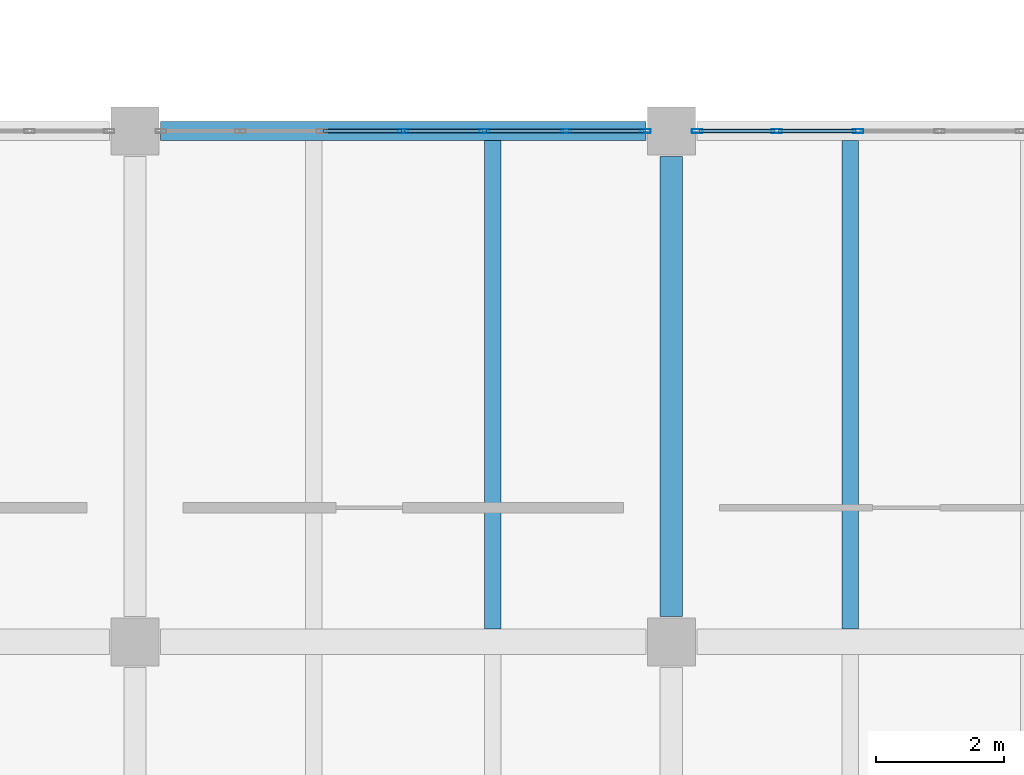
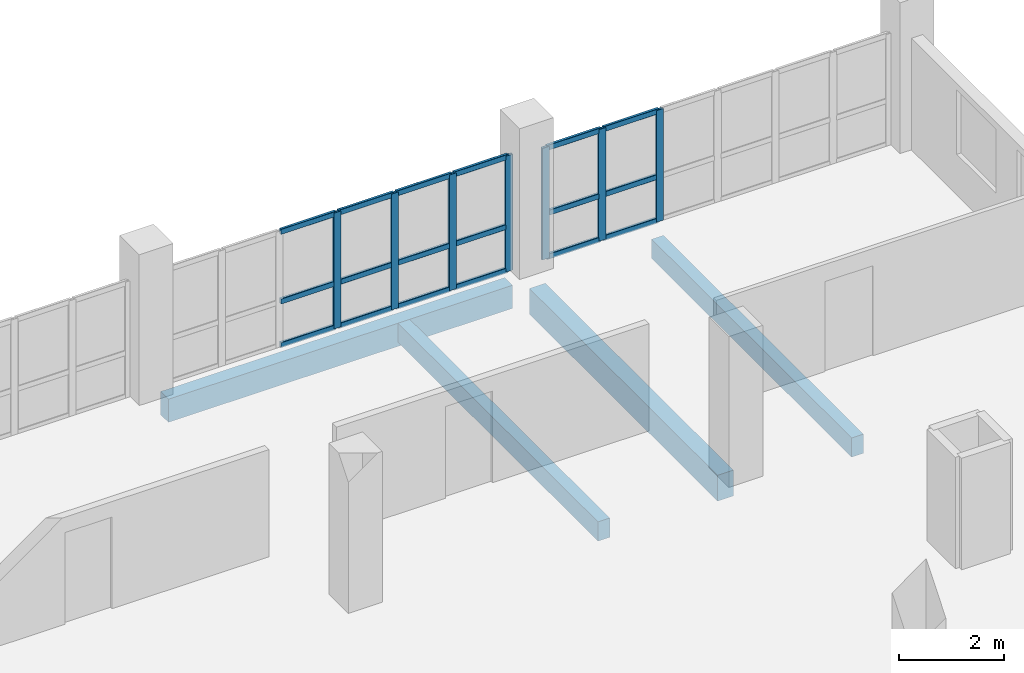
# One storey, part 22 of 95: 25 members, 4 beams, 2 elements without a shape of their own.
"""IFC4 building model written with IfcOpenShell, lengths in metres."""

import ifcopenshell
import ifcopenshell.guid

model = None  # the IFC model being written
_history = None  # IfcOwnerHistory: only IFC2X3 demands one
_inside = {}  # id of a spatial element -> (the spatial element, [elements in it])
_under = {}  # id of a project, library or spatial element -> (it, [spatial elements below it])
_declared = {}  # id of a project -> (the project, [libraries it declares])
_typed = {}  # id of a type object -> (the type object, [elements of that type])
_made_of = {}  # id of a material, layer set ... -> (it, [elements and type objects made of it])


def new_model(schema):
    """Start an empty IFC model of exactly this schema.

    Asked for "IFC4X3", IfcOpenShell would pick the latest addendum, in which some entities
    have other attributes; the version numbers below select the first issue.
    IFC2X3 requires an IfcOwnerHistory on every rooted entity: one is made here for all.
    """
    global model, _history
    if schema == "IFC4X3":
        model = ifcopenshell.file(schema_version=(4, 3, 0, 0))
    else:
        model = ifcopenshell.file(schema=schema)
    _inside.clear()
    _under.clear()
    _declared.clear()
    _typed.clear()
    _made_of.clear()
    _history = None
    if model.schema == "IFC2X3":
        org = make("IfcOrganization", Name="unknown")
        user = make(
            "IfcPersonAndOrganization",
            ThePerson=make("IfcPerson", FamilyName="unknown"),
            TheOrganization=org,
        )
        app = make(
            "IfcApplication",
            ApplicationDeveloper=org,
            Version="unknown",
            ApplicationFullName="unknown",
            ApplicationIdentifier="unknown",
        )
        _history = make(
            "IfcOwnerHistory",
            OwningUser=user,
            OwningApplication=app,
            ChangeAction="ADDED",
            CreationDate=0,
        )
    return model


def make(cls, **values):
    """One entity of the class cls with the attributes given. An attribute that is None is left unset."""
    return model.create_entity(
        cls, **{name: value for name, value in values.items() if value is not None}
    )


def rooted(cls, **values):
    """An entity with a GlobalId (a new one), such as an element, a storey or a relation."""
    return make(cls, GlobalId=ifcopenshell.guid.new(), OwnerHistory=_history, **values)


def si_unit(unit_type, name, prefix=None):
    """IfcSIUnit, for example si_unit("LENGTHUNIT", "METRE", prefix="MILLI")."""
    return make("IfcSIUnit", UnitType=unit_type, Prefix=prefix, Name=name)


def assignment(units):
    """IfcUnitAssignment: the units of a project."""
    return None if units is None else make("IfcUnitAssignment", Units=units)


def point(xyz):
    """IfcCartesianPoint."""
    return None if xyz is None else make("IfcCartesianPoint", Coordinates=xyz)


def direction(xyz):
    """IfcDirection."""
    return None if xyz is None else make("IfcDirection", DirectionRatios=xyz)


def frame(location, z_axis=None, x_axis=None):
    """IfcAxis2Placement3D, a coordinate frame: its origin and axes. An axis left out is left unset."""
    return make(
        "IfcAxis2Placement3D",
        Location=point(location),
        Axis=direction(z_axis),
        RefDirection=direction(x_axis),
    )


def frame_2d(location, x_axis=None):
    """IfcAxis2Placement2D, a coordinate frame in the plane: its origin and x axis."""
    return make(
        "IfcAxis2Placement2D", Location=point(location), RefDirection=direction(x_axis)
    )


def origin():
    """The frame at (0, 0, 0) with its axes left unset."""
    return frame((0.0, 0.0, 0.0))


def origin_2d():
    """The frame at (0, 0) in the plane with its x axis left unset."""
    return frame_2d((0.0, 0.0))


def place(relative_to, where):
    """IfcLocalPlacement: puts the frame where relative to a parent placement (None: the world)."""
    return make(
        "IfcLocalPlacement", PlacementRelTo=relative_to, RelativePlacement=where
    )


def context(
    kind, dimensions, precision=None, world=None, true_north=None, identifier=None
):
    """IfcGeometricRepresentationContext, for example the 3D "Model" context."""
    return make(
        "IfcGeometricRepresentationContext",
        ContextIdentifier=identifier,
        ContextType=kind,
        CoordinateSpaceDimension=dimensions,
        Precision=precision,
        WorldCoordinateSystem=world,
        TrueNorth=true_north,
    )


def subcontext(parent, identifier, kind, view, scale=None):
    """IfcGeometricRepresentationSubContext, for example "Body" below "Model"."""
    return make(
        "IfcGeometricRepresentationSubContext",
        ContextIdentifier=identifier,
        ContextType=kind,
        ParentContext=parent,
        TargetScale=scale,
        TargetView=view,
    )


def project(units=None, contexts=None):
    """IfcProject with its units and contexts."""
    return rooted(
        "IfcProject",
        Name="project",
        RepresentationContexts=contexts,
        UnitsInContext=assignment(units),
    )


def spatial(cls, under=None, at=None, **own):
    """A site, building, storey or space (cls), placed at a placement, below another one or the project."""
    s = rooted(cls, ObjectPlacement=at, **own)
    if under is not None:
        _under.setdefault(under.id(), (under, []))[1].append(s)
    return s


def profile(cls, at=None, kind="AREA", **sizes):
    """A parametric profile (cls). Its sizes go by their IFC names, for example OverallWidth=200.0."""
    return make(cls, ProfileType=kind, Position=at, **sizes)


def rectangle(**sizes):
    """IfcRectangleProfileDef."""
    return profile("IfcRectangleProfileDef", **sizes)


def hollow_rectangle(**sizes):
    """IfcRectangleHollowProfileDef."""
    return profile("IfcRectangleHollowProfileDef", **sizes)


def extrude(swept, where, along, depth):
    """IfcExtrudedAreaSolid: the profile swept, set in the frame where, extruded along a direction by depth."""
    return make(
        "IfcExtrudedAreaSolid",
        SweptArea=swept,
        Position=where,
        ExtrudedDirection=direction(along),
        Depth=depth,
    )


def shape(context_of_items, identifier, shape_type, items):
    """IfcShapeRepresentation: the items that make up one representation, for example the "Body"."""
    return make(
        "IfcShapeRepresentation",
        ContextOfItems=context_of_items,
        RepresentationIdentifier=identifier,
        RepresentationType=shape_type,
        Items=items,
    )


def material(Name=None, Category=None):
    """IfcMaterial."""
    return make("IfcMaterial", Name=Name, Category=Category)


def layer(
    of_material, thickness, ventilated=None, Name=None, Category=None, Priority=None
):
    """IfcMaterialLayer: one layer of a wall or slab, of a material (None: an air gap)."""
    return make(
        "IfcMaterialLayer",
        Material=of_material,
        LayerThickness=thickness,
        IsVentilated=ventilated,
        Name=Name,
        Category=Category,
        Priority=Priority,
    )


def layer_set(layers, Name=None):
    """IfcMaterialLayerSet."""
    return make("IfcMaterialLayerSet", MaterialLayers=layers, LayerSetName=Name)


def material_profile(
    of_material, cross_section, Name=None, Category=None, Priority=None
):
    """IfcMaterialProfile: a cross section and its material."""
    return make(
        "IfcMaterialProfile",
        Name=Name,
        Material=of_material,
        Profile=cross_section,
        Priority=Priority,
        Category=Category,
    )


def profile_set(profiles, Name=None, composite=None):
    """IfcMaterialProfileSet."""
    return make(
        "IfcMaterialProfileSet",
        Name=Name,
        MaterialProfiles=profiles,
        CompositeProfile=composite,
    )


def made_of(thing, what):
    """Note that an element or type object is made of a material, layer set ...; save() writes the relation."""
    if what is not None:
        _made_of.setdefault(what.id(), (what, []))[1].append(thing)
    return thing


def type_object(cls, material=None, **own):
    """A type object (cls), such as IfcWallType, which elements share."""
    return made_of(rooted(cls, **own), material)


def element(
    cls,
    number,
    at=None,
    inside=None,
    cuts=None,
    type_object=None,
    material=None,
    context=None,
    identifier="Body",
    shape_type=None,
    held_by="IfcProductDefinitionShape",
    body=None,
    shapes=None,
    **own,
):
    """One element of the class cls, such as IfcWall. Its Tag is "e" and its number.

    at: its placement. inside: the storey or other place that contains it. cuts: it is an
    opening in that element (IfcRelVoidsElement). A single representation is given by context,
    identifier, shape_type and body (its items); several are given by shapes. held_by: the class
    of the entity that holds the representations. save() writes the other relations.
    """
    e = rooted(cls, Tag="e%d" % number, ObjectPlacement=at, **own)
    if body is not None:
        shapes = [shape(context, identifier, shape_type, body)]
    if shapes is not None:
        e.Representation = make(held_by, Representations=shapes)
    if inside is not None:
        _inside.setdefault(inside.id(), (inside, []))[1].append(e)
    if cuts is not None:
        rooted(
            "IfcRelVoidsElement", RelatingBuildingElement=cuts, RelatedOpeningElement=e
        )
    if type_object is not None:
        _typed.setdefault(type_object.id(), (type_object, []))[1].append(e)
    return made_of(e, material)


def aggregate(whole, parts):
    """IfcRelAggregates: a whole, such as a stair, and the parts it consists of."""
    return rooted("IfcRelAggregates", RelatingObject=whole, RelatedObjects=parts)


def save(model, path):
    """Write the relations noted so far, then the file.

    IfcRelAggregates (storeys below a building ...), IfcRelContainedInSpatialStructure (elements
    in a storey), IfcRelDefinesByType, IfcRelAssociatesMaterial and IfcRelDeclares: one each for
    every whole, place, type object, material and project.
    """
    for whole, parts in _under.values():
        aggregate(whole, parts)
    for where, things in _inside.values():
        rooted(
            "IfcRelContainedInSpatialStructure",
            RelatedElements=things,
            RelatingStructure=where,
        )
    for kind, things in _typed.values():
        rooted("IfcRelDefinesByType", RelatedObjects=things, RelatingType=kind)
    for what, things in _made_of.values():
        rooted("IfcRelAssociatesMaterial", RelatedObjects=things, RelatingMaterial=what)
    for by, libraries in _declared.values():
        rooted("IfcRelDeclares", RelatingContext=by, RelatedDefinitions=libraries)
    model.write(path)


model = new_model("IFC4")

# Units and contexts
model_context = context("Model", 3, precision=1e-05, world=origin(), true_north=direction((0.0, 1.0)))
body_context = subcontext(model_context, "Body", "Model", "MODEL_VIEW")
ifc_project = project(units=[si_unit("LENGTHUNIT", "METRE"), si_unit("AREAUNIT", "SQUARE_METRE"), si_unit("VOLUMEUNIT", "CUBIC_METRE"), si_unit("PLANEANGLEUNIT", "RADIAN"), si_unit("MASSUNIT", "GRAM", prefix="KILO"), si_unit("THERMODYNAMICTEMPERATUREUNIT", "KELVIN"), si_unit("POWERUNIT", "WATT")], contexts=[model_context])

# Site, building, storey
site_placement = place(None, origin())
site = spatial("IfcSite", under=ifc_project, at=site_placement, CompositionType="ELEMENT")
building_placement = place(site_placement, origin())
building = spatial("IfcBuilding", under=site, at=building_placement, Name="Mavoryth Pier Ferry Terminal", CompositionType="ELEMENT")
storey_placement = place(building_placement, frame((0.0, 0.0, 9.60009765625)))
storey = spatial("IfcBuildingStorey", under=building, at=storey_placement, Name="L02", CompositionType="ELEMENT", Elevation=9.60009765625)

# Beams
ifc_material_1 = material(Name="Concrete C35/45", Category="concrete")
ifc_material_profile_1 = material_profile(ifc_material_1, rectangle(XDim=0.35009765625, YDim=0.60009765625, at=origin_2d()), Name="RC 350x600", Category="concrete")
ifc_profile_set_1 = profile_set([ifc_material_profile_1], Name="Concrete C35/45 - RC 350x600")
beam_type_1 = type_object("IfcBeamType", Name="Girder-RC-350x600", PredefinedType="BEAM", material=ifc_profile_set_1)
beam_1_placement = place(storey_placement, frame((84.0, 14.39990234375, -0.56005859375), z_axis=(0.0, 1.0, 0.0), x_axis=(-1.0, 0.0, 0.0)))
element("IfcBeam", 1, at=beam_1_placement, inside=storey, type_object=beam_type_1, Name="Beam B02-BG08-0992", PredefinedType="BEAM", context=body_context, shape_type="SweptSolid", body=[
    extrude(rectangle(XDim=0.35009765625, YDim=0.60009765625, at=origin_2d()), origin(), (0.0, 0.0, 1.0), 7.2001953125),
])
ifc_material_profile_2 = material_profile(ifc_material_1, rectangle(XDim=0.260009765625, YDim=0.449951171875, at=origin_2d()), Name="RC 260x450", Category="concrete")
ifc_profile_set_2 = profile_set([ifc_material_profile_2], Name="Concrete C35/45 - RC 260x450")
beam_type_2 = type_object("IfcBeamType", Name="Joist-RC-260x450", PredefinedType="JOIST", material=ifc_profile_set_2)
for number, where, z_axis, x_axis, name in (
    (2, (81.199951171875, 14.199951171875, -0.485107421875), (0.0, 1.0, 0.0), (-1.0, 0.0, 0.0), "Beam B02-BJ03-1021"),
    (3, (86.800048828125, 14.199951171875, -0.485107421875), (0.0, 1.0, 0.0), (-1.0, 0.0, 0.0), "Beam B02-BJ03-1026"),
):
    element("IfcBeam", number, at=place(storey_placement, frame(where, z_axis=z_axis, x_axis=x_axis)), inside=storey, type_object=beam_type_2, Name=name, PredefinedType="JOIST", context=body_context, shape_type="SweptSolid", body=[
        extrude(rectangle(XDim=0.260009765625, YDim=0.449951171875, at=origin_2d()), origin(), (0.0, 0.0, 1.0), 7.650146484375),
    ])

# Curtain wall, members
ifc_material_2 = material(Name="Anodised Aluminium and Solar-Control Low-E Glass", Category="aluminium")
ifc_layer = layer(ifc_material_2, 0.239990234375, Name="Anodised Aluminium and Solar-Control Low-E Glass", Category="aluminium")
ifc_layer_set = layer_set([ifc_layer], Name="Anodised Aluminium and Solar-Control Low-E Glass - CW-Operations-Mod1200")
curtain_wall_type = type_object("IfcCurtainWallType", Name="CW-Operations-Mod1200", PredefinedType="USERDEFINED", material=ifc_layer_set)
curtain_wall_1_placement = place(storey_placement, origin())
curtain_wall_1 = element("IfcCurtainWall", 4, at=curtain_wall_1_placement, inside=storey, type_object=curtain_wall_type, Name="Curtain Wall CW-0222-130", ObjectType="UNITISED CURTAIN WALL", PredefinedType="USERDEFINED")
ifc_material_3 = material(Name="Anodised Aluminium EN AW-6063", Category="aluminium")
ifc_material_profile_3 = material_profile(ifc_material_3, hollow_rectangle(XDim=0.06005859375, YDim=0.1650390625, WallThickness=0.00390625, InnerFilletRadius=0.00390625, OuterFilletRadius=0.008056640625, at=origin_2d()), Name="AL-MULL 165x60x4", Category="aluminium")
ifc_profile_set_3 = profile_set([ifc_material_profile_3], Name="Anodised Aluminium EN AW-6063 - AL-MULL 165x60x4")
member_type_1 = type_object("IfcMemberType", Name="Mullion-Alum-165x60", PredefinedType="MULLION", material=ifc_profile_set_3)
member_1_placement = place(storey_placement, frame((83.594970703125, 22.0, 0.0), z_axis=(0.0, 0.0, 1.0), x_axis=(0.0, -1.0, 0.0)))
member_1 = element("IfcMember", 5, at=member_1_placement, type_object=member_type_1, Name="CW06 mullion 1", PredefinedType="MULLION", context=body_context, shape_type="SweptSolid", body=[
    extrude(hollow_rectangle(XDim=0.06005859375, YDim=0.1650390625, WallThickness=0.00390625, InnerFilletRadius=0.00390625, OuterFilletRadius=0.008056640625, at=origin_2d()), origin(), (0.0, 0.0, 1.0), 2.704833984375),
])
member_2_placement = place(storey_placement, frame((82.35009765625, 22.0, 0.0), z_axis=(0.0, 0.0, 1.0), x_axis=(0.0, -1.0, 0.0)))
member_2 = element("IfcMember", 6, at=member_2_placement, type_object=member_type_1, Name="CW06 mullion 2", PredefinedType="MULLION", context=body_context, shape_type="SweptSolid", body=[
    extrude(hollow_rectangle(XDim=0.06005859375, YDim=0.1650390625, WallThickness=0.00390625, InnerFilletRadius=0.00390625, OuterFilletRadius=0.008056640625, at=origin_2d()), origin(), (0.0, 0.0, 1.0), 2.704833984375),
])
member_3_placement = place(storey_placement, frame((81.074951171875, 22.0, 0.0), z_axis=(0.0, 0.0, 1.0), x_axis=(0.0, -1.0, 0.0)))
member_3 = element("IfcMember", 7, at=member_3_placement, type_object=member_type_1, Name="CW06 mullion 3", PredefinedType="MULLION", context=body_context, shape_type="SweptSolid", body=[
    extrude(hollow_rectangle(XDim=0.06005859375, YDim=0.1650390625, WallThickness=0.00390625, InnerFilletRadius=0.00390625, OuterFilletRadius=0.008056640625, at=origin_2d()), origin(), (0.0, 0.0, 1.0), 2.704833984375),
])
member_4_placement = place(storey_placement, frame((79.800048828125, 22.0, 0.0), z_axis=(0.0, 0.0, 1.0), x_axis=(0.0, -1.0, 0.0)))
member_4 = element("IfcMember", 8, at=member_4_placement, type_object=member_type_1, Name="CW06 mullion 4", PredefinedType="MULLION", context=body_context, shape_type="SweptSolid", body=[
    extrude(hollow_rectangle(XDim=0.06005859375, YDim=0.1650390625, WallThickness=0.00390625, InnerFilletRadius=0.00390625, OuterFilletRadius=0.008056640625, at=origin_2d()), origin(), (0.0, 0.0, 1.0), 2.704833984375),
])

curtain_wall_2_placement = place(storey_placement, origin())
curtain_wall_2 = element("IfcCurtainWall", 9, at=curtain_wall_2_placement, inside=storey, type_object=curtain_wall_type, Name="Curtain Wall CW-0222-132", ObjectType="UNITISED CURTAIN WALL", PredefinedType="USERDEFINED")
member_5_placement = place(storey_placement, frame((86.925048828125, 22.0, 0.0), z_axis=(0.0, 0.0, 1.0), x_axis=(0.0, -1.0, 0.0)))
member_5 = element("IfcMember", 10, at=member_5_placement, type_object=member_type_1, Name="CW06 mullion 5", PredefinedType="MULLION", context=body_context, shape_type="SweptSolid", body=[
    extrude(hollow_rectangle(XDim=0.06005859375, YDim=0.1650390625, WallThickness=0.00390625, InnerFilletRadius=0.00390625, OuterFilletRadius=0.008056640625, at=origin_2d()), origin(), (0.0, 0.0, 1.0), 2.60498046875),
])
member_6_placement = place(storey_placement, frame((85.64990234375, 22.0, 0.0), z_axis=(0.0, 0.0, 1.0), x_axis=(0.0, -1.0, 0.0)))
member_6 = element("IfcMember", 11, at=member_6_placement, type_object=member_type_1, Name="CW06 mullion 6", PredefinedType="MULLION", context=body_context, shape_type="SweptSolid", body=[
    extrude(hollow_rectangle(XDim=0.06005859375, YDim=0.1650390625, WallThickness=0.00390625, InnerFilletRadius=0.00390625, OuterFilletRadius=0.008056640625, at=origin_2d()), origin(), (0.0, 0.0, 1.0), 2.60498046875),
])
member_7_placement = place(storey_placement, frame((84.405029296875, 22.0, 0.0), z_axis=(0.0, 0.0, 1.0), x_axis=(0.0, -1.0, 0.0)))
member_7 = element("IfcMember", 12, at=member_7_placement, type_object=member_type_1, Name="CW06 mullion 7", PredefinedType="MULLION", context=body_context, shape_type="SweptSolid", body=[
    extrude(hollow_rectangle(XDim=0.06005859375, YDim=0.1650390625, WallThickness=0.00390625, InnerFilletRadius=0.00390625, OuterFilletRadius=0.008056640625, at=origin_2d()), origin(), (0.0, 0.0, 1.0), 2.60498046875),
])

# Beam
ifc_material_profile_4 = material_profile(ifc_material_1, rectangle(XDim=0.300048828125, YDim=0.5400390625, at=origin_2d()), Name="RC 300x540", Category="concrete")
ifc_profile_set_4 = profile_set([ifc_material_profile_4], Name="Concrete C35/45 - RC 300x540")
beam_type_3 = type_object("IfcBeamType", Name="Spandrel-RC-300x540", PredefinedType="SPANDREL", material=ifc_profile_set_4)
beam_2_placement = place(storey_placement, frame((76.0, 22.0, -0.530029296875), z_axis=(1.0, 0.0, 0.0), x_axis=(0.0, 1.0, 0.0)))
element("IfcBeam", 13, at=beam_2_placement, inside=storey, type_object=beam_type_3, Name="Beam B02-SP02-0973", PredefinedType="SPANDREL", context=body_context, shape_type="SweptSolid", body=[
    extrude(rectangle(XDim=0.300048828125, YDim=0.5400390625, at=origin_2d()), origin(), (0.0, 0.0, 1.0), 7.60009765625),
])

# Member
ifc_material_profile_5 = material_profile(ifc_material_3, hollow_rectangle(XDim=0.06005859375, YDim=0.125, WallThickness=0.00390625, InnerFilletRadius=0.00390625, OuterFilletRadius=0.008056640625, at=origin_2d()), Name="AL-TRAN 125x60x4", Category="aluminium")
ifc_profile_set_5 = profile_set([ifc_material_profile_5], Name="Anodised Aluminium EN AW-6063 - AL-TRAN 125x60x4")
member_type_2 = type_object("IfcMemberType", Name="Transom-Alum-125x60", PredefinedType="USERDEFINED", material=ifc_profile_set_5)
member_8_placement = place(storey_placement, frame((83.56494140625, 22.0, 0.02978515625), z_axis=(-1.0, 0.0, 0.0), x_axis=(0.0, -1.0, 0.0)))
member_8 = element("IfcMember", 14, at=member_8_placement, type_object=member_type_2, Name="CW06 transom 1.1", ObjectType="TRANSOM", PredefinedType="USERDEFINED", context=body_context, shape_type="SweptSolid", body=[
    extrude(hollow_rectangle(XDim=0.06005859375, YDim=0.125, WallThickness=0.00390625, InnerFilletRadius=0.00390625, OuterFilletRadius=0.008056640625, at=origin_2d()), origin(), (0.0, 0.0, 1.0), 1.18505859375),
])

member_9_placement = place(storey_placement, frame((83.56494140625, 22.0, 1.0498046875), z_axis=(-1.0, 0.0, 0.0), x_axis=(0.0, -1.0, 0.0)))
member_9 = element("IfcMember", 15, at=member_9_placement, type_object=member_type_2, Name="CW06 transom 1.2", ObjectType="TRANSOM", PredefinedType="USERDEFINED", context=body_context, shape_type="SweptSolid", body=[
    extrude(hollow_rectangle(XDim=0.06005859375, YDim=0.125, WallThickness=0.00390625, InnerFilletRadius=0.00390625, OuterFilletRadius=0.008056640625, at=origin_2d()), origin(), (0.0, 0.0, 1.0), 1.18505859375),
])

member_10_placement = place(storey_placement, frame((83.56494140625, 22.0, 2.6748046875), z_axis=(-1.0, 0.0, 0.0), x_axis=(0.0, -1.0, 0.0)))
member_10 = element("IfcMember", 16, at=member_10_placement, type_object=member_type_2, Name="CW06 transom 1.3", ObjectType="TRANSOM", PredefinedType="USERDEFINED", context=body_context, shape_type="SweptSolid", body=[
    extrude(hollow_rectangle(XDim=0.06005859375, YDim=0.125, WallThickness=0.00390625, InnerFilletRadius=0.00390625, OuterFilletRadius=0.008056640625, at=origin_2d()), origin(), (0.0, 0.0, 1.0), 1.18505859375),
])

member_11_placement = place(storey_placement, frame((82.320068359375, 22.0, 0.02978515625), z_axis=(-1.0, 0.0, 0.0), x_axis=(0.0, -1.0, 0.0)))
member_11 = element("IfcMember", 17, at=member_11_placement, type_object=member_type_2, Name="CW06 transom 2.1", ObjectType="TRANSOM", PredefinedType="USERDEFINED", context=body_context, shape_type="SweptSolid", body=[
    extrude(hollow_rectangle(XDim=0.06005859375, YDim=0.125, WallThickness=0.00390625, InnerFilletRadius=0.00390625, OuterFilletRadius=0.008056640625, at=origin_2d()), origin(), (0.0, 0.0, 1.0), 1.215087890625),
])

member_12_placement = place(storey_placement, frame((82.320068359375, 22.0, 1.0498046875), z_axis=(-1.0, 0.0, 0.0), x_axis=(0.0, -1.0, 0.0)))
member_12 = element("IfcMember", 18, at=member_12_placement, type_object=member_type_2, Name="CW06 transom 2.2", ObjectType="TRANSOM", PredefinedType="USERDEFINED", context=body_context, shape_type="SweptSolid", body=[
    extrude(hollow_rectangle(XDim=0.06005859375, YDim=0.125, WallThickness=0.00390625, InnerFilletRadius=0.00390625, OuterFilletRadius=0.008056640625, at=origin_2d()), origin(), (0.0, 0.0, 1.0), 1.215087890625),
])

member_13_placement = place(storey_placement, frame((82.320068359375, 22.0, 2.6748046875), z_axis=(-1.0, 0.0, 0.0), x_axis=(0.0, -1.0, 0.0)))
member_13 = element("IfcMember", 19, at=member_13_placement, type_object=member_type_2, Name="CW06 transom 2.3", ObjectType="TRANSOM", PredefinedType="USERDEFINED", context=body_context, shape_type="SweptSolid", body=[
    extrude(hollow_rectangle(XDim=0.06005859375, YDim=0.125, WallThickness=0.00390625, InnerFilletRadius=0.00390625, OuterFilletRadius=0.008056640625, at=origin_2d()), origin(), (0.0, 0.0, 1.0), 1.215087890625),
])

member_14_placement = place(storey_placement, frame((81.044921875, 22.0, 0.02978515625), z_axis=(-1.0, 0.0, 0.0), x_axis=(0.0, -1.0, 0.0)))
member_14 = element("IfcMember", 20, at=member_14_placement, type_object=member_type_2, Name="CW06 transom 3.1", ObjectType="TRANSOM", PredefinedType="USERDEFINED", context=body_context, shape_type="SweptSolid", body=[
    extrude(hollow_rectangle(XDim=0.06005859375, YDim=0.125, WallThickness=0.00390625, InnerFilletRadius=0.00390625, OuterFilletRadius=0.008056640625, at=origin_2d()), origin(), (0.0, 0.0, 1.0), 1.21484375),
])

member_15_placement = place(storey_placement, frame((81.044921875, 22.0, 1.0498046875), z_axis=(-1.0, 0.0, 0.0), x_axis=(0.0, -1.0, 0.0)))
member_15 = element("IfcMember", 21, at=member_15_placement, type_object=member_type_2, Name="CW06 transom 3.2", ObjectType="TRANSOM", PredefinedType="USERDEFINED", context=body_context, shape_type="SweptSolid", body=[
    extrude(hollow_rectangle(XDim=0.06005859375, YDim=0.125, WallThickness=0.00390625, InnerFilletRadius=0.00390625, OuterFilletRadius=0.008056640625, at=origin_2d()), origin(), (0.0, 0.0, 1.0), 1.21484375),
])

member_16_placement = place(storey_placement, frame((81.044921875, 22.0, 2.6748046875), z_axis=(-1.0, 0.0, 0.0), x_axis=(0.0, -1.0, 0.0)))
member_16 = element("IfcMember", 22, at=member_16_placement, type_object=member_type_2, Name="CW06 transom 3.3", ObjectType="TRANSOM", PredefinedType="USERDEFINED", context=body_context, shape_type="SweptSolid", body=[
    extrude(hollow_rectangle(XDim=0.06005859375, YDim=0.125, WallThickness=0.00390625, InnerFilletRadius=0.00390625, OuterFilletRadius=0.008056640625, at=origin_2d()), origin(), (0.0, 0.0, 1.0), 1.21484375),
])

member_17_placement = place(storey_placement, frame((79.77001953125, 22.0, 0.02978515625), z_axis=(-1.0, 0.0, 0.0), x_axis=(0.0, -1.0, 0.0)))
member_17 = element("IfcMember", 23, at=member_17_placement, type_object=member_type_2, Name="CW06 transom 4.1", ObjectType="TRANSOM", PredefinedType="USERDEFINED", context=body_context, shape_type="SweptSolid", body=[
    extrude(hollow_rectangle(XDim=0.06005859375, YDim=0.125, WallThickness=0.00390625, InnerFilletRadius=0.00390625, OuterFilletRadius=0.008056640625, at=origin_2d()), origin(), (0.0, 0.0, 1.0), 1.215087890625),
])

member_18_placement = place(storey_placement, frame((79.77001953125, 22.0, 1.0498046875), z_axis=(-1.0, 0.0, 0.0), x_axis=(0.0, -1.0, 0.0)))
member_18 = element("IfcMember", 24, at=member_18_placement, type_object=member_type_2, Name="CW06 transom 4.2", ObjectType="TRANSOM", PredefinedType="USERDEFINED", context=body_context, shape_type="SweptSolid", body=[
    extrude(hollow_rectangle(XDim=0.06005859375, YDim=0.125, WallThickness=0.00390625, InnerFilletRadius=0.00390625, OuterFilletRadius=0.008056640625, at=origin_2d()), origin(), (0.0, 0.0, 1.0), 1.215087890625),
])

member_19_placement = place(storey_placement, frame((79.77001953125, 22.0, 2.6748046875), z_axis=(-1.0, 0.0, 0.0), x_axis=(0.0, -1.0, 0.0)))
member_19 = element("IfcMember", 25, at=member_19_placement, type_object=member_type_2, Name="CW06 transom 4.3", ObjectType="TRANSOM", PredefinedType="USERDEFINED", context=body_context, shape_type="SweptSolid", body=[
    extrude(hollow_rectangle(XDim=0.06005859375, YDim=0.125, WallThickness=0.00390625, InnerFilletRadius=0.00390625, OuterFilletRadius=0.008056640625, at=origin_2d()), origin(), (0.0, 0.0, 1.0), 1.215087890625),
])

aggregate(curtain_wall_1, [member_1, member_2, member_3, member_4, member_8, member_9, member_10, member_11, member_12, member_13, member_14, member_15, member_16, member_17, member_18, member_19])

member_20_placement = place(storey_placement, frame((86.89501953125, 22.0, 0.02978515625), z_axis=(-1.0, 0.0, 0.0), x_axis=(0.0, -1.0, 0.0)))
member_20 = element("IfcMember", 26, at=member_20_placement, type_object=member_type_2, Name="CW06 transom 5.1", ObjectType="TRANSOM", PredefinedType="USERDEFINED", context=body_context, shape_type="SweptSolid", body=[
    extrude(hollow_rectangle(XDim=0.06005859375, YDim=0.125, WallThickness=0.00390625, InnerFilletRadius=0.00390625, OuterFilletRadius=0.008056640625, at=origin_2d()), origin(), (0.0, 0.0, 1.0), 1.215087890625),
])

member_21_placement = place(storey_placement, frame((86.89501953125, 22.0, 1.0498046875), z_axis=(-1.0, 0.0, 0.0), x_axis=(0.0, -1.0, 0.0)))
member_21 = element("IfcMember", 27, at=member_21_placement, type_object=member_type_2, Name="CW06 transom 5.2", ObjectType="TRANSOM", PredefinedType="USERDEFINED", context=body_context, shape_type="SweptSolid", body=[
    extrude(hollow_rectangle(XDim=0.06005859375, YDim=0.125, WallThickness=0.00390625, InnerFilletRadius=0.00390625, OuterFilletRadius=0.008056640625, at=origin_2d()), origin(), (0.0, 0.0, 1.0), 1.215087890625),
])

member_22_placement = place(storey_placement, frame((86.89501953125, 22.0, 2.574951171875), z_axis=(-1.0, 0.0, 0.0), x_axis=(0.0, -1.0, 0.0)))
member_22 = element("IfcMember", 28, at=member_22_placement, type_object=member_type_2, Name="CW06 transom 5.3", ObjectType="TRANSOM", PredefinedType="USERDEFINED", context=body_context, shape_type="SweptSolid", body=[
    extrude(hollow_rectangle(XDim=0.06005859375, YDim=0.125, WallThickness=0.00390625, InnerFilletRadius=0.00390625, OuterFilletRadius=0.008056640625, at=origin_2d()), origin(), (0.0, 0.0, 1.0), 1.215087890625),
])

member_23_placement = place(storey_placement, frame((85.6201171875, 22.0, 0.02978515625), z_axis=(-1.0, 0.0, 0.0), x_axis=(0.0, -1.0, 0.0)))
member_23 = element("IfcMember", 29, at=member_23_placement, type_object=member_type_2, Name="CW06 transom 6.1", ObjectType="TRANSOM", PredefinedType="USERDEFINED", context=body_context, shape_type="SweptSolid", body=[
    extrude(hollow_rectangle(XDim=0.06005859375, YDim=0.125, WallThickness=0.00390625, InnerFilletRadius=0.00390625, OuterFilletRadius=0.008056640625, at=origin_2d()), origin(), (0.0, 0.0, 1.0), 1.18505859375),
])

member_24_placement = place(storey_placement, frame((85.6201171875, 22.0, 1.0498046875), z_axis=(-1.0, 0.0, 0.0), x_axis=(0.0, -1.0, 0.0)))
member_24 = element("IfcMember", 30, at=member_24_placement, type_object=member_type_2, Name="CW06 transom 6.2", ObjectType="TRANSOM", PredefinedType="USERDEFINED", context=body_context, shape_type="SweptSolid", body=[
    extrude(hollow_rectangle(XDim=0.06005859375, YDim=0.125, WallThickness=0.00390625, InnerFilletRadius=0.00390625, OuterFilletRadius=0.008056640625, at=origin_2d()), origin(), (0.0, 0.0, 1.0), 1.18505859375),
])

member_25_placement = place(storey_placement, frame((85.6201171875, 22.0, 2.574951171875), z_axis=(-1.0, 0.0, 0.0), x_axis=(0.0, -1.0, 0.0)))
member_25 = element("IfcMember", 31, at=member_25_placement, type_object=member_type_2, Name="CW06 transom 6.3", ObjectType="TRANSOM", PredefinedType="USERDEFINED", context=body_context, shape_type="SweptSolid", body=[
    extrude(hollow_rectangle(XDim=0.06005859375, YDim=0.125, WallThickness=0.00390625, InnerFilletRadius=0.00390625, OuterFilletRadius=0.008056640625, at=origin_2d()), origin(), (0.0, 0.0, 1.0), 1.18505859375),
])

aggregate(curtain_wall_2, [member_5, member_6, member_7, member_20, member_21, member_22, member_23, member_24, member_25])

save(model, "model.ifc")
